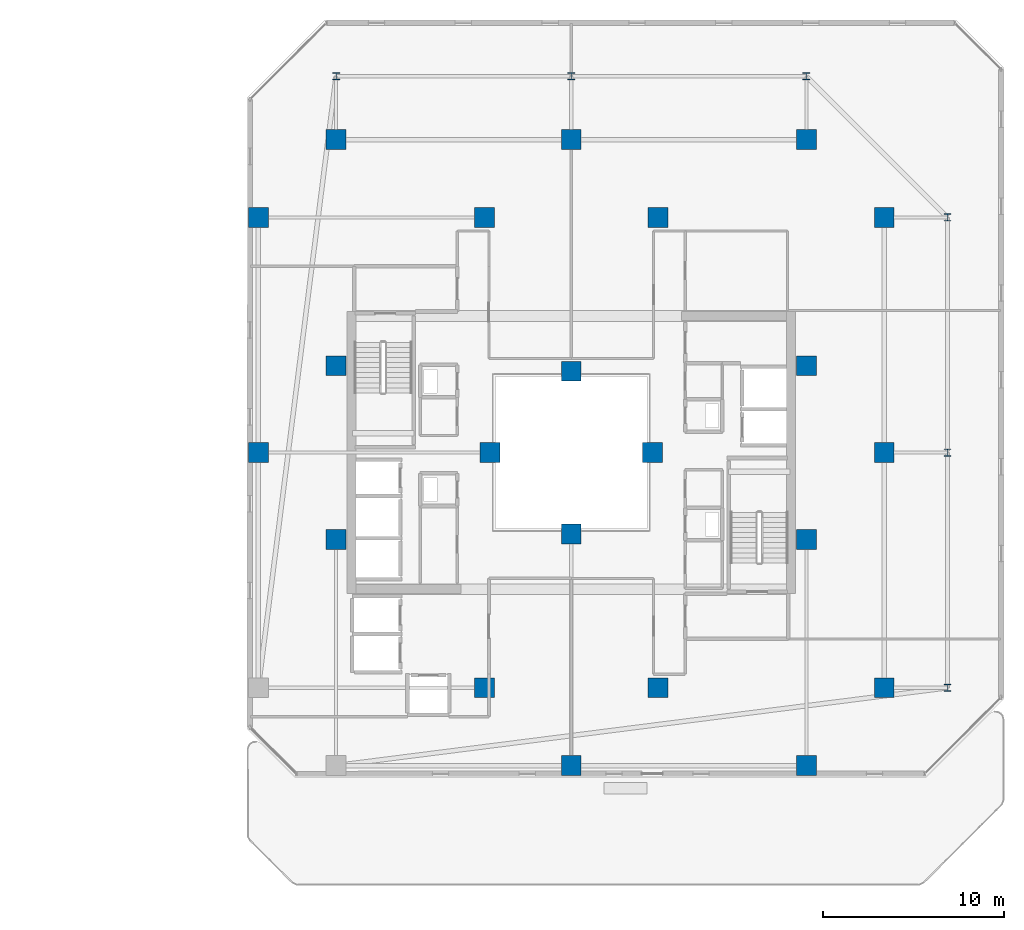
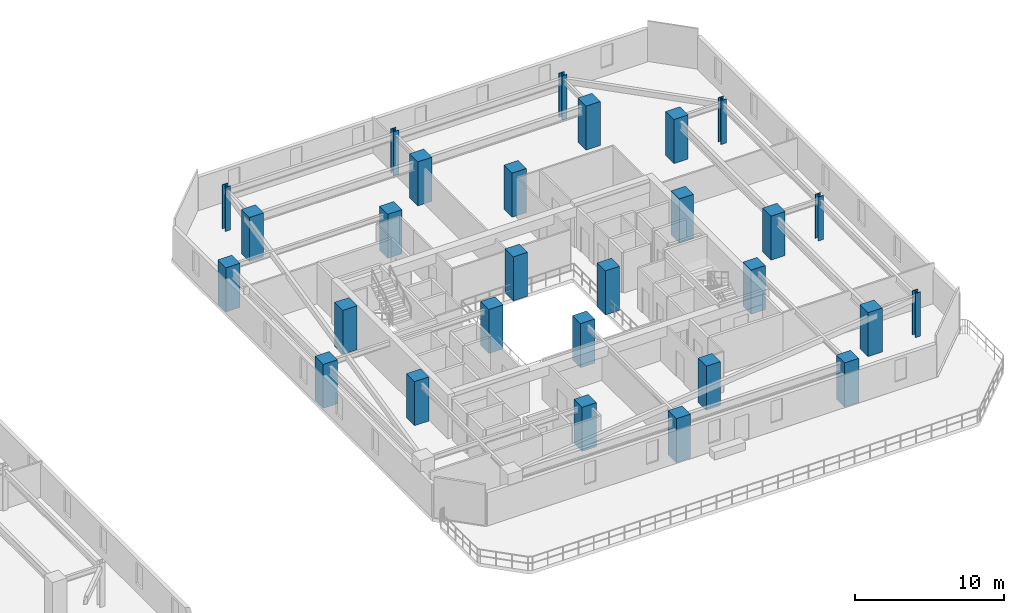
# One storey, part 2 of 30: 28 columns.
"""IFC4 building model written with IfcOpenShell, lengths in metres."""

import ifcopenshell
import ifcopenshell.guid

model = None  # the IFC model being written
_history = None  # IfcOwnerHistory: only IFC2X3 demands one
_inside = {}  # id of a spatial element -> (the spatial element, [elements in it])
_under = {}  # id of a project, library or spatial element -> (it, [spatial elements below it])
_declared = {}  # id of a project -> (the project, [libraries it declares])
_typed = {}  # id of a type object -> (the type object, [elements of that type])
_made_of = {}  # id of a material, layer set ... -> (it, [elements and type objects made of it])


def new_model(schema):
    """Start an empty IFC model of exactly this schema.

    Asked for "IFC4X3", IfcOpenShell would pick the latest addendum, in which some entities
    have other attributes; the version numbers below select the first issue.
    IFC2X3 requires an IfcOwnerHistory on every rooted entity: one is made here for all.
    """
    global model, _history
    if schema == "IFC4X3":
        model = ifcopenshell.file(schema_version=(4, 3, 0, 0))
    else:
        model = ifcopenshell.file(schema=schema)
    _inside.clear()
    _under.clear()
    _declared.clear()
    _typed.clear()
    _made_of.clear()
    _history = None
    if model.schema == "IFC2X3":
        org = make("IfcOrganization", Name="unknown")
        user = make(
            "IfcPersonAndOrganization",
            ThePerson=make("IfcPerson", FamilyName="unknown"),
            TheOrganization=org,
        )
        app = make(
            "IfcApplication",
            ApplicationDeveloper=org,
            Version="unknown",
            ApplicationFullName="unknown",
            ApplicationIdentifier="unknown",
        )
        _history = make(
            "IfcOwnerHistory",
            OwningUser=user,
            OwningApplication=app,
            ChangeAction="ADDED",
            CreationDate=0,
        )
    return model


def make(cls, **values):
    """One entity of the class cls with the attributes given. An attribute that is None is left unset."""
    return model.create_entity(
        cls, **{name: value for name, value in values.items() if value is not None}
    )


def rooted(cls, **values):
    """An entity with a GlobalId (a new one), such as an element, a storey or a relation."""
    return make(cls, GlobalId=ifcopenshell.guid.new(), OwnerHistory=_history, **values)


def si_unit(unit_type, name, prefix=None):
    """IfcSIUnit, for example si_unit("LENGTHUNIT", "METRE", prefix="MILLI")."""
    return make("IfcSIUnit", UnitType=unit_type, Prefix=prefix, Name=name)


def assignment(units):
    """IfcUnitAssignment: the units of a project."""
    return None if units is None else make("IfcUnitAssignment", Units=units)


def point(xyz):
    """IfcCartesianPoint."""
    return None if xyz is None else make("IfcCartesianPoint", Coordinates=xyz)


def direction(xyz):
    """IfcDirection."""
    return None if xyz is None else make("IfcDirection", DirectionRatios=xyz)


def frame(location, z_axis=None, x_axis=None):
    """IfcAxis2Placement3D, a coordinate frame: its origin and axes. An axis left out is left unset."""
    return make(
        "IfcAxis2Placement3D",
        Location=point(location),
        Axis=direction(z_axis),
        RefDirection=direction(x_axis),
    )


def frame_2d(location, x_axis=None):
    """IfcAxis2Placement2D, a coordinate frame in the plane: its origin and x axis."""
    return make(
        "IfcAxis2Placement2D", Location=point(location), RefDirection=direction(x_axis)
    )


def origin():
    """The frame at (0, 0, 0) with its axes left unset."""
    return frame((0.0, 0.0, 0.0))


def origin_2d():
    """The frame at (0, 0) in the plane with its x axis left unset."""
    return frame_2d((0.0, 0.0))


def place(relative_to, where):
    """IfcLocalPlacement: puts the frame where relative to a parent placement (None: the world)."""
    return make(
        "IfcLocalPlacement", PlacementRelTo=relative_to, RelativePlacement=where
    )


def context(
    kind, dimensions, precision=None, world=None, true_north=None, identifier=None
):
    """IfcGeometricRepresentationContext, for example the 3D "Model" context."""
    return make(
        "IfcGeometricRepresentationContext",
        ContextIdentifier=identifier,
        ContextType=kind,
        CoordinateSpaceDimension=dimensions,
        Precision=precision,
        WorldCoordinateSystem=world,
        TrueNorth=true_north,
    )


def subcontext(parent, identifier, kind, view, scale=None):
    """IfcGeometricRepresentationSubContext, for example "Body" below "Model"."""
    return make(
        "IfcGeometricRepresentationSubContext",
        ContextIdentifier=identifier,
        ContextType=kind,
        ParentContext=parent,
        TargetScale=scale,
        TargetView=view,
    )


def project(units=None, contexts=None):
    """IfcProject with its units and contexts."""
    return rooted(
        "IfcProject",
        Name="project",
        RepresentationContexts=contexts,
        UnitsInContext=assignment(units),
    )


def spatial(cls, under=None, at=None, **own):
    """A site, building, storey or space (cls), placed at a placement, below another one or the project."""
    s = rooted(cls, ObjectPlacement=at, **own)
    if under is not None:
        _under.setdefault(under.id(), (under, []))[1].append(s)
    return s


def profile(cls, at=None, kind="AREA", **sizes):
    """A parametric profile (cls). Its sizes go by their IFC names, for example OverallWidth=200.0."""
    return make(cls, ProfileType=kind, Position=at, **sizes)


def rectangle(**sizes):
    """IfcRectangleProfileDef."""
    return profile("IfcRectangleProfileDef", **sizes)


def i_section(**sizes):
    """IfcIShapeProfileDef."""
    return profile("IfcIShapeProfileDef", **sizes)


def extrude(swept, where, along, depth):
    """IfcExtrudedAreaSolid: the profile swept, set in the frame where, extruded along a direction by depth."""
    return make(
        "IfcExtrudedAreaSolid",
        SweptArea=swept,
        Position=where,
        ExtrudedDirection=direction(along),
        Depth=depth,
    )


def shape(context_of_items, identifier, shape_type, items):
    """IfcShapeRepresentation: the items that make up one representation, for example the "Body"."""
    return make(
        "IfcShapeRepresentation",
        ContextOfItems=context_of_items,
        RepresentationIdentifier=identifier,
        RepresentationType=shape_type,
        Items=items,
    )


def material(Name=None, Category=None):
    """IfcMaterial."""
    return make("IfcMaterial", Name=Name, Category=Category)


def material_profile(
    of_material, cross_section, Name=None, Category=None, Priority=None
):
    """IfcMaterialProfile: a cross section and its material."""
    return make(
        "IfcMaterialProfile",
        Name=Name,
        Material=of_material,
        Profile=cross_section,
        Priority=Priority,
        Category=Category,
    )


def profile_set(profiles, Name=None, composite=None):
    """IfcMaterialProfileSet."""
    return make(
        "IfcMaterialProfileSet",
        Name=Name,
        MaterialProfiles=profiles,
        CompositeProfile=composite,
    )


def made_of(thing, what):
    """Note that an element or type object is made of a material, layer set ...; save() writes the relation."""
    if what is not None:
        _made_of.setdefault(what.id(), (what, []))[1].append(thing)
    return thing


def type_object(cls, material=None, **own):
    """A type object (cls), such as IfcWallType, which elements share."""
    return made_of(rooted(cls, **own), material)


def element(
    cls,
    number,
    at=None,
    inside=None,
    cuts=None,
    type_object=None,
    material=None,
    context=None,
    identifier="Body",
    shape_type=None,
    held_by="IfcProductDefinitionShape",
    body=None,
    shapes=None,
    **own,
):
    """One element of the class cls, such as IfcWall. Its Tag is "e" and its number.

    at: its placement. inside: the storey or other place that contains it. cuts: it is an
    opening in that element (IfcRelVoidsElement). A single representation is given by context,
    identifier, shape_type and body (its items); several are given by shapes. held_by: the class
    of the entity that holds the representations. save() writes the other relations.
    """
    e = rooted(cls, Tag="e%d" % number, ObjectPlacement=at, **own)
    if body is not None:
        shapes = [shape(context, identifier, shape_type, body)]
    if shapes is not None:
        e.Representation = make(held_by, Representations=shapes)
    if inside is not None:
        _inside.setdefault(inside.id(), (inside, []))[1].append(e)
    if cuts is not None:
        rooted(
            "IfcRelVoidsElement", RelatingBuildingElement=cuts, RelatedOpeningElement=e
        )
    if type_object is not None:
        _typed.setdefault(type_object.id(), (type_object, []))[1].append(e)
    return made_of(e, material)


def aggregate(whole, parts):
    """IfcRelAggregates: a whole, such as a stair, and the parts it consists of."""
    return rooted("IfcRelAggregates", RelatingObject=whole, RelatedObjects=parts)


def save(model, path):
    """Write the relations noted so far, then the file.

    IfcRelAggregates (storeys below a building ...), IfcRelContainedInSpatialStructure (elements
    in a storey), IfcRelDefinesByType, IfcRelAssociatesMaterial and IfcRelDeclares: one each for
    every whole, place, type object, material and project.
    """
    for whole, parts in _under.values():
        aggregate(whole, parts)
    for where, things in _inside.values():
        rooted(
            "IfcRelContainedInSpatialStructure",
            RelatedElements=things,
            RelatingStructure=where,
        )
    for kind, things in _typed.values():
        rooted("IfcRelDefinesByType", RelatedObjects=things, RelatingType=kind)
    for what, things in _made_of.values():
        rooted("IfcRelAssociatesMaterial", RelatedObjects=things, RelatingMaterial=what)
    for by, libraries in _declared.values():
        rooted("IfcRelDeclares", RelatingContext=by, RelatedDefinitions=libraries)
    model.write(path)


model = new_model("IFC4")

# Units and contexts
model_context = context("Model", 3, precision=1e-05, world=origin(), true_north=direction((0.0, 1.0)))
body_context = subcontext(model_context, "Body", "Model", "MODEL_VIEW")
ifc_project = project(units=[si_unit("LENGTHUNIT", "METRE"), si_unit("AREAUNIT", "SQUARE_METRE"), si_unit("VOLUMEUNIT", "CUBIC_METRE"), si_unit("PLANEANGLEUNIT", "RADIAN"), si_unit("MASSUNIT", "GRAM", prefix="KILO")], contexts=[model_context])

# Site, building, storey
site_placement = place(None, origin())
site = spatial("IfcSite", under=ifc_project, at=site_placement, CompositionType="ELEMENT")
building_placement = place(site_placement, origin())
building = spatial("IfcBuilding", under=site, at=building_placement, Name="Thornwick Lancets Civic Towers", CompositionType="ELEMENT")
storey_placement = place(building_placement, frame((0.0, 0.0, 149.10009765625)))
storey = spatial("IfcBuildingStorey", under=building, at=storey_placement, Name="L39", CompositionType="ELEMENT", Elevation=149.10009765625)

# Columns
ifc_material_1 = material(Name="Concrete C50/60", Category="concrete")
ifc_material_profile_1 = material_profile(ifc_material_1, rectangle(XDim=1.10009765625, YDim=1.10009765625, at=origin_2d()), Name="RC 1100x1100")
ifc_profile_set_1 = profile_set([ifc_material_profile_1], Name="Concrete C50/60")
column_type_1 = type_object("IfcColumnType", Name="COL_RC_1100", PredefinedType="COLUMN", material=ifc_profile_set_1)
for number, where, z_axis, x_axis, name in (
    (1, (105.800048828125, 14.0, 0.0), (0.0, 0.0, 1.0), (1.0, 0.0, 0.0), "L39 Spine Mega-Column B01"),
    (2, (105.800048828125, 27.0, 0.0), (0.0, 0.0, 1.0), (1.0, 0.0, 0.0), "L39 Spine Mega-Column B02"),
    (3, (105.800048828125, 40.0, 0.0), (0.0, 0.0, 1.0), (1.0, 0.0, 0.0), "L39 Spine Mega-Column B03"),
    (4, (101.5, 44.300048828125, 0.0), (0.0, 0.0, 1.0), (1.0, 0.0, 0.0), "L39 Spine Mega-Column B04"),
    (5, (88.5, 44.300048828125, 0.0), (0.0, 0.0, 1.0), (1.0, 0.0, 0.0), "L39 Spine Mega-Column B05"),
    (6, (75.5, 44.300048828125, 0.0), (0.0, 0.0, 1.0), (1.0, 0.0, 0.0), "L39 Spine Mega-Column B06"),
    (7, (71.199951171875, 27.0, 0.0), (0.0, 0.0, 1.0), (1.0, 0.0, 0.0), "L39 Spine Mega-Column B08"),
    (8, (71.199951171875, 40.0, 0.0), (0.0, 0.0, 1.0), (1.0, 0.0, 0.0), "L39 Spine Mega-Column B09"),
    (9, (101.5, 9.699951171875, 0.0), (0.0, 0.0, 1.0), (1.0, 0.0, 0.0), "L39 Spine Mega-Column B10"),
    (10, (88.5, 9.699951171875, 0.0), (0.0, 0.0, 1.0), (1.0, 0.0, 0.0), "L39 Spine Mega-Column B11"),
    (11, (93.300048828125, 14.0, 0.0), (0.0, 0.0, 1.0), (1.0, 0.0, 0.0), "L39 Spine Mega-Column B13"),
    (12, (93.300048828125, 40.0, 0.0), (0.0, 0.0, 1.0), (1.0, 0.0, 0.0), "L39 Spine Mega-Column B14"),
    (13, (83.699951171875, 14.0, 0.0), (0.0, 0.0, 1.0), (1.0, 0.0, 0.0), "L39 Spine Mega-Column B15"),
    (14, (83.699951171875, 40.0, 0.0), (0.0, 0.0, 1.0), (1.0, 0.0, 0.0), "L39 Spine Mega-Column B16"),
    (15, (101.5, 22.199951171875, 0.0), (0.0, 0.0, 1.0), (1.0, 0.0, 0.0), "L39 Spine Mega-Column B17"),
    (16, (101.5, 31.800048828125, 0.0), (0.0, 0.0, 1.0), (1.0, 0.0, 0.0), "L39 Spine Mega-Column B18"),
    (17, (75.5, 22.199951171875, 0.0), (0.0, 0.0, 1.0), (1.0, 0.0, 0.0), "L39 Spine Mega-Column B19"),
    (18, (75.5, 31.800048828125, 0.0), (0.0, 0.0, 1.0), (1.0, 0.0, 0.0), "L39 Spine Mega-Column B20"),
    (19, (93.0, 27.0, 0.0), (0.0, 0.0, 1.0), (1.0, 0.0, 0.0), "L39 Spine Mega-Column B21"),
    (20, (84.0, 27.0, 0.0), (0.0, 0.0, 1.0), (1.0, 0.0, 0.0), "L39 Spine Mega-Column B22"),
    (21, (88.5, 22.5, 0.0), (0.0, 0.0, 1.0), (1.0, 0.0, 0.0), "L39 Spine Mega-Column B23"),
    (22, (88.5, 31.5, 0.0), (0.0, 0.0, 1.0), (1.0, 0.0, 0.0), "L39 Spine Mega-Column B24"),
):
    element("IfcColumn", number, at=place(storey_placement, frame(where, z_axis=z_axis, x_axis=x_axis)), inside=storey, type_object=column_type_1, Name=name, PredefinedType="COLUMN", context=body_context, shape_type="SweptSolid", body=[
        extrude(rectangle(XDim=1.10009765625, YDim=1.10009765625, at=origin_2d()), origin(), (0.0, 0.0, 1.0), 3.599853515625),
    ])
ifc_material_2 = material(Name="Steel S460M", Category="steel")
ifc_material_profile_2 = material_profile(ifc_material_2, i_section(OverallWidth=0.406982421875, OverallDepth=0.4189453125, WebThickness=0.030517578125, FlangeThickness=0.04931640625, FilletRadius=0.01513671875, at=origin_2d()), Name="UKC 356x406x393")
ifc_profile_set_2 = profile_set([ifc_material_profile_2], Name="Steel S460M")
column_type_2 = type_object("IfcColumnType", Name="COL_UKC_393", PredefinedType="COLUMN", material=ifc_profile_set_2)
for number, where, z_axis, x_axis, name in (
    (23, (109.300048828125, 14.0, 0.0), (0.0, 0.0, 1.0), (1.0, 0.0, 0.0), "L39 Block Perimeter Column B01"),
    (24, (109.300048828125, 27.0, 0.0), (0.0, 0.0, 1.0), (1.0, 0.0, 0.0), "L39 Block Perimeter Column B02"),
    (25, (109.300048828125, 40.0, 0.0), (0.0, 0.0, 1.0), (1.0, 0.0, 0.0), "L39 Block Perimeter Column B03"),
    (26, (101.5, 47.800048828125, 0.0), (0.0, 0.0, 1.0), (1.0, 0.0, 0.0), "L39 Block Perimeter Column B04"),
    (27, (88.5, 47.800048828125, 0.0), (0.0, 0.0, 1.0), (1.0, 0.0, 0.0), "L39 Block Perimeter Column B05"),
    (28, (75.5, 47.800048828125, 0.0), (0.0, 0.0, 1.0), (1.0, 0.0, 0.0), "L39 Block Perimeter Column B06"),
):
    element("IfcColumn", number, at=place(storey_placement, frame(where, z_axis=z_axis, x_axis=x_axis)), inside=storey, type_object=column_type_2, Name=name, PredefinedType="COLUMN", context=body_context, shape_type="SweptSolid", body=[
        extrude(i_section(OverallWidth=0.406982421875, OverallDepth=0.4189453125, WebThickness=0.030517578125, FlangeThickness=0.04931640625, FilletRadius=0.01513671875, at=origin_2d()), origin(), (0.0, 0.0, 1.0), 3.599853515625),
    ])

save(model, "model.ifc")
